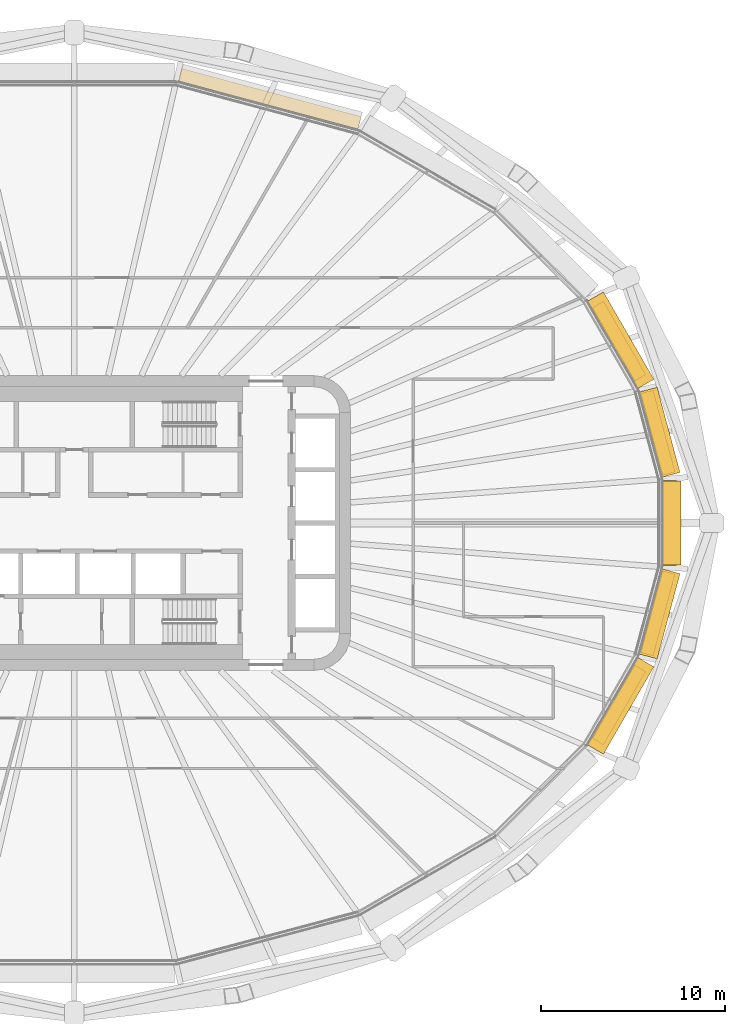
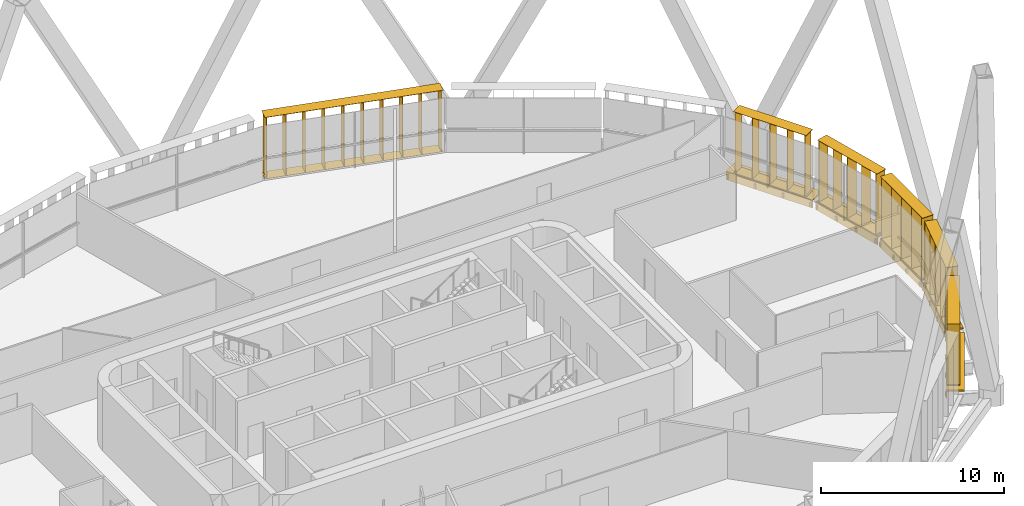
# One storey, part 25 of 25: 11 shading devices.
"""IFC4 building model written with IfcOpenShell, lengths in metres."""

from ifc_helpers import new_model, si_unit, direction, frame, origin, origin_2d, place, context, subcontext, project, spatial, rectangle, extrude, material, type_object, element, save


model = new_model("IFC4")

# Units and contexts
model_context = context("Model", 3, precision=1e-05, world=origin(), true_north=direction((0.0, 1.0)))
body_context = subcontext(model_context, "Body", "Model", "MODEL_VIEW")
ifc_project = project(units=[si_unit("LENGTHUNIT", "METRE"), si_unit("AREAUNIT", "SQUARE_METRE"), si_unit("VOLUMEUNIT", "CUBIC_METRE"), si_unit("PLANEANGLEUNIT", "RADIAN"), si_unit("MASSUNIT", "GRAM", prefix="KILO")], contexts=[model_context])

# Site, building, storey
site_placement = place(None, origin())
site = spatial("IfcSite", under=ifc_project, at=site_placement, CompositionType="ELEMENT")
building_placement = place(site_placement, origin())
building = spatial("IfcBuilding", under=site, at=building_placement, Name="Sahrelin Media Tower", CompositionType="ELEMENT")
storey_placement = place(building_placement, frame((0.0, 0.0, 114.60009765625)))
storey = spatial("IfcBuildingStorey", under=building, at=storey_placement, Name="L22", CompositionType="ELEMENT", Elevation=114.60009765625)

# Shading devices
ifc_material = material(Name="Champagne anodised aluminium 6063-T6", Category="aluminium")
shading_device_type_1 = type_object("IfcShadingDeviceType", Name="Fin cassette", PredefinedType="USERDEFINED", material=ifc_material)
placement_1 = place(storey_placement, frame((31.915771484375, 0.0, 0.0), z_axis=(0.0, 0.0, 1.0), x_axis=(0.0, -1.0, 0.0)))
element("IfcShadingDevice", 1, at=placement_1, inside=storey, type_object=shading_device_type_1, Name="L22:FIN:L22-00", ObjectType="FIN", PredefinedType="USERDEFINED", context=body_context, shape_type="SweptSolid", body=[
    extrude(rectangle(XDim=4.60009765625, YDim=0.699951171875, at=origin_2d()), frame((0.0, 0.419921875, 0.0)), (0.0, 0.0, 1.0), 0.02001953125),
    extrude(rectangle(XDim=4.60009765625, YDim=0.699951171875, at=origin_2d()), frame((0.0, 0.419921875, 4.10009765625)), (0.0, 0.0, 1.0), 0.02001953125),
    extrude(rectangle(XDim=0.02001953125, YDim=0.699951171875, at=origin_2d()), frame((-2.199951171875, 0.419921875, 0.010009765625), z_axis=(0.0, 0.0, 1.0), x_axis=(1.0, 0.0, 0.0)), (0.0, 0.0, 1.0), 4.10009765625),
    extrude(rectangle(XDim=0.02001953125, YDim=0.699951171875, at=origin_2d()), frame((-1.10009765625, 0.419921875, 0.010009765625), z_axis=(0.0, 0.0, 1.0), x_axis=(1.0, 0.0, 0.0)), (0.0, 0.0, 1.0), 4.10009765625),
    extrude(rectangle(XDim=0.02001953125, YDim=0.699951171875, at=origin_2d()), frame((0.0, 0.419921875, 0.010009765625), z_axis=(0.0, 0.0, 1.0), x_axis=(1.0, 0.0, 0.0)), (0.0, 0.0, 1.0), 4.10009765625),
    extrude(rectangle(XDim=0.02001953125, YDim=0.699951171875, at=origin_2d()), frame((1.10009765625, 0.419921875, 0.010009765625), z_axis=(0.0, 0.0, 1.0), x_axis=(1.0, 0.0, 0.0)), (0.0, 0.0, 1.0), 4.10009765625),
    extrude(rectangle(XDim=0.02001953125, YDim=0.699951171875, at=origin_2d()), frame((2.199951171875, 0.419921875, 0.010009765625), z_axis=(0.0, 0.0, 1.0), x_axis=(1.0, 0.0, 0.0)), (0.0, 0.0, 1.0), 4.10009765625),
])
placement_2 = place(storey_placement, frame((31.270263671875, 4.794189453125, 0.0), z_axis=(0.0, 0.0, 1.0), x_axis=(0.258807731996, -0.965928857556, 0.0)))
element("IfcShadingDevice", 2, at=placement_2, inside=storey, type_object=shading_device_type_1, Name="L22:FIN:L22-01", ObjectType="FIN", PredefinedType="USERDEFINED", context=body_context, shape_type="SweptSolid", body=[
    extrude(rectangle(XDim=4.60009765625, YDim=0.699951171875, at=origin_2d()), frame((0.0, 0.419921875, 0.0)), (0.0, 0.0, 1.0), 0.02001953125),
    extrude(rectangle(XDim=4.60009765625, YDim=0.699951171875, at=origin_2d()), frame((0.0, 0.419921875, 4.10009765625)), (0.0, 0.0, 1.0), 0.02001953125),
    extrude(rectangle(XDim=0.02001953125, YDim=0.699951171875, at=origin_2d()), frame((-2.199951171875, 0.419921875, 0.010009765625), z_axis=(0.0, 0.0, 1.0), x_axis=(1.0, 0.0, 0.0)), (0.0, 0.0, 1.0), 4.10009765625),
    extrude(rectangle(XDim=0.02001953125, YDim=0.699951171875, at=origin_2d()), frame((-1.10009765625, 0.419921875, 0.010009765625), z_axis=(0.0, 0.0, 1.0), x_axis=(1.0, 0.0, 0.0)), (0.0, 0.0, 1.0), 4.10009765625),
    extrude(rectangle(XDim=0.02001953125, YDim=0.699951171875, at=origin_2d()), frame((0.0, 0.419921875, 0.010009765625), z_axis=(0.0, 0.0, 1.0), x_axis=(1.0, 0.0, 0.0)), (0.0, 0.0, 1.0), 4.10009765625),
    extrude(rectangle(XDim=0.02001953125, YDim=0.699951171875, at=origin_2d()), frame((1.10009765625, 0.419921875, 0.010009765625), z_axis=(0.0, 0.0, 1.0), x_axis=(1.0, 0.0, 0.0)), (0.0, 0.0, 1.0), 4.10009765625),
    extrude(rectangle(XDim=0.02001953125, YDim=0.699951171875, at=origin_2d()), frame((2.199951171875, 0.419921875, 0.010009765625), z_axis=(0.0, 0.0, 1.0), x_axis=(1.0, 0.0, 0.0)), (0.0, 0.0, 1.0), 4.10009765625),
])
placement_3 = place(storey_placement, frame((29.20556640625, 9.6611328125, 0.0), z_axis=(0.0, 0.0, 1.0), x_axis=(0.500011000363, -0.866019052629, 0.0)))
element("IfcShadingDevice", 3, at=placement_3, inside=storey, type_object=shading_device_type_1, Name="L22:FIN:L22-02", ObjectType="FIN", PredefinedType="USERDEFINED", context=body_context, shape_type="SweptSolid", body=[
    extrude(rectangle(XDim=4.60009765625, YDim=0.699951171875, at=origin_2d()), frame((0.0, 0.419921875, 0.0)), (0.0, 0.0, 1.0), 0.02001953125),
    extrude(rectangle(XDim=4.60009765625, YDim=0.699951171875, at=origin_2d()), frame((0.0, 0.419921875, 4.10009765625)), (0.0, 0.0, 1.0), 0.02001953125),
    extrude(rectangle(XDim=0.02001953125, YDim=0.699951171875, at=origin_2d()), frame((-2.199951171875, 0.419921875, 0.010009765625), z_axis=(0.0, 0.0, 1.0), x_axis=(1.0, 0.0, 0.0)), (0.0, 0.0, 1.0), 4.10009765625),
    extrude(rectangle(XDim=0.02001953125, YDim=0.699951171875, at=origin_2d()), frame((-1.10009765625, 0.419921875, 0.010009765625), z_axis=(0.0, 0.0, 1.0), x_axis=(1.0, 0.0, 0.0)), (0.0, 0.0, 1.0), 4.10009765625),
    extrude(rectangle(XDim=0.02001953125, YDim=0.699951171875, at=origin_2d()), frame((0.0, 0.419921875, 0.010009765625), z_axis=(0.0, 0.0, 1.0), x_axis=(1.0, 0.0, 0.0)), (0.0, 0.0, 1.0), 4.10009765625),
    extrude(rectangle(XDim=0.02001953125, YDim=0.699951171875, at=origin_2d()), frame((1.10009765625, 0.419921875, 0.010009765625), z_axis=(0.0, 0.0, 1.0), x_axis=(1.0, 0.0, 0.0)), (0.0, 0.0, 1.0), 4.10009765625),
    extrude(rectangle(XDim=0.02001953125, YDim=0.699951171875, at=origin_2d()), frame((2.199951171875, 0.419921875, 0.010009765625), z_axis=(0.0, 0.0, 1.0), x_axis=(1.0, 0.0, 0.0)), (0.0, 0.0, 1.0), 4.10009765625),
])
shading_device_4_placement = place(storey_placement, frame((10.498046875, 22.623046875, 0.0), z_axis=(0.0, 0.0, 1.0), x_axis=(0.965928857556, -0.258807731996, 0.0)))
element("IfcShadingDevice", 4, at=shading_device_4_placement, inside=storey, type_object=shading_device_type_1, Name="L22:FIN:L22-05", ObjectType="FIN", PredefinedType="USERDEFINED", context=body_context, shape_type="SweptSolid", body=[
    extrude(rectangle(XDim=10.10009765625, YDim=0.699951171875, at=origin_2d()), frame((0.0, 0.419921875, 0.0)), (0.0, 0.0, 1.0), 0.02001953125),
    extrude(rectangle(XDim=10.10009765625, YDim=0.699951171875, at=origin_2d()), frame((0.0, 0.419921875, 4.10009765625)), (0.0, 0.0, 1.0), 0.02001953125),
    extrude(rectangle(XDim=0.02001953125, YDim=0.699951171875, at=origin_2d()), frame((-4.949951171875, 0.419921875, 0.010009765625), z_axis=(0.0, 0.0, 1.0), x_axis=(1.0, 0.0, 0.0)), (0.0, 0.0, 1.0), 4.10009765625),
    extrude(rectangle(XDim=0.02001953125, YDim=0.699951171875, at=origin_2d()), frame((-3.85009765625, 0.419921875, 0.010009765625), z_axis=(0.0, 0.0, 1.0), x_axis=(1.0, 0.0, 0.0)), (0.0, 0.0, 1.0), 4.10009765625),
    extrude(rectangle(XDim=0.02001953125, YDim=0.699951171875, at=origin_2d()), frame((-2.75, 0.419921875, 0.010009765625), z_axis=(0.0, 0.0, 1.0), x_axis=(1.0, 0.0, 0.0)), (0.0, 0.0, 1.0), 4.10009765625),
    extrude(rectangle(XDim=0.02001953125, YDim=0.699951171875, at=origin_2d()), frame((-1.64990234375, 0.419921875, 0.010009765625), z_axis=(0.0, 0.0, 1.0), x_axis=(1.0, 0.0, 0.0)), (0.0, 0.0, 1.0), 4.10009765625),
    extrude(rectangle(XDim=0.02001953125, YDim=0.699951171875, at=origin_2d()), frame((-0.550048828125, 0.419921875, 0.010009765625), z_axis=(0.0, 0.0, 1.0), x_axis=(1.0, 0.0, 0.0)), (0.0, 0.0, 1.0), 4.10009765625),
    extrude(rectangle(XDim=0.02001953125, YDim=0.699951171875, at=origin_2d()), frame((0.550048828125, 0.419921875, 0.010009765625), z_axis=(0.0, 0.0, 1.0), x_axis=(1.0, 0.0, 0.0)), (0.0, 0.0, 1.0), 4.10009765625),
    extrude(rectangle(XDim=0.02001953125, YDim=0.699951171875, at=origin_2d()), frame((1.64990234375, 0.419921875, 0.010009765625), z_axis=(0.0, 0.0, 1.0), x_axis=(1.0, 0.0, 0.0)), (0.0, 0.0, 1.0), 4.10009765625),
    extrude(rectangle(XDim=0.02001953125, YDim=0.699951171875, at=origin_2d()), frame((2.75, 0.419921875, 0.010009765625), z_axis=(0.0, 0.0, 1.0), x_axis=(1.0, 0.0, 0.0)), (0.0, 0.0, 1.0), 4.10009765625),
    extrude(rectangle(XDim=0.02001953125, YDim=0.699951171875, at=origin_2d()), frame((3.85009765625, 0.419921875, 0.010009765625), z_axis=(0.0, 0.0, 1.0), x_axis=(1.0, 0.0, 0.0)), (0.0, 0.0, 1.0), 4.10009765625),
    extrude(rectangle(XDim=0.02001953125, YDim=0.699951171875, at=origin_2d()), frame((4.949951171875, 0.419921875, 0.010009765625), z_axis=(0.0, 0.0, 1.0), x_axis=(1.0, 0.0, 0.0)), (0.0, 0.0, 1.0), 4.10009765625),
])
placement_4 = place(storey_placement, frame((29.205810546875, -9.661376953125, 0.0), z_axis=(0.0, 0.0, 1.0), x_axis=(-0.500011000363, -0.866019052629, 0.0)))
element("IfcShadingDevice", 5, at=placement_4, inside=storey, type_object=shading_device_type_1, Name="L22:FIN:L22-22", ObjectType="FIN", PredefinedType="USERDEFINED", context=body_context, shape_type="SweptSolid", body=[
    extrude(rectangle(XDim=4.60009765625, YDim=0.699951171875, at=origin_2d()), frame((0.0, 0.419921875, 0.0)), (0.0, 0.0, 1.0), 0.02001953125),
    extrude(rectangle(XDim=4.60009765625, YDim=0.699951171875, at=origin_2d()), frame((0.0, 0.419921875, 4.10009765625)), (0.0, 0.0, 1.0), 0.02001953125),
    extrude(rectangle(XDim=0.02001953125, YDim=0.699951171875, at=origin_2d()), frame((-2.199951171875, 0.419921875, 0.010009765625), z_axis=(0.0, 0.0, 1.0), x_axis=(1.0, 0.0, 0.0)), (0.0, 0.0, 1.0), 4.10009765625),
    extrude(rectangle(XDim=0.02001953125, YDim=0.699951171875, at=origin_2d()), frame((-1.10009765625, 0.419921875, 0.010009765625), z_axis=(0.0, 0.0, 1.0), x_axis=(1.0, 0.0, 0.0)), (0.0, 0.0, 1.0), 4.10009765625),
    extrude(rectangle(XDim=0.02001953125, YDim=0.699951171875, at=origin_2d()), frame((0.0, 0.419921875, 0.010009765625), z_axis=(0.0, 0.0, 1.0), x_axis=(1.0, 0.0, 0.0)), (0.0, 0.0, 1.0), 4.10009765625),
    extrude(rectangle(XDim=0.02001953125, YDim=0.699951171875, at=origin_2d()), frame((1.10009765625, 0.419921875, 0.010009765625), z_axis=(0.0, 0.0, 1.0), x_axis=(1.0, 0.0, 0.0)), (0.0, 0.0, 1.0), 4.10009765625),
    extrude(rectangle(XDim=0.02001953125, YDim=0.699951171875, at=origin_2d()), frame((2.199951171875, 0.419921875, 0.010009765625), z_axis=(0.0, 0.0, 1.0), x_axis=(1.0, 0.0, 0.0)), (0.0, 0.0, 1.0), 4.10009765625),
])
placement_5 = place(storey_placement, frame((31.270263671875, -4.794189453125, 0.0), z_axis=(0.0, 0.0, 1.0), x_axis=(-0.258807731996, -0.965928857556, 0.0)))
element("IfcShadingDevice", 6, at=placement_5, inside=storey, type_object=shading_device_type_1, Name="L22:FIN:L22-23", ObjectType="FIN", PredefinedType="USERDEFINED", context=body_context, shape_type="SweptSolid", body=[
    extrude(rectangle(XDim=4.60009765625, YDim=0.699951171875, at=origin_2d()), frame((0.0, 0.419921875, 0.0)), (0.0, 0.0, 1.0), 0.02001953125),
    extrude(rectangle(XDim=4.60009765625, YDim=0.699951171875, at=origin_2d()), frame((0.0, 0.419921875, 4.10009765625)), (0.0, 0.0, 1.0), 0.02001953125),
    extrude(rectangle(XDim=0.02001953125, YDim=0.699951171875, at=origin_2d()), frame((-2.199951171875, 0.419921875, 0.010009765625), z_axis=(0.0, 0.0, 1.0), x_axis=(1.0, 0.0, 0.0)), (0.0, 0.0, 1.0), 4.10009765625),
    extrude(rectangle(XDim=0.02001953125, YDim=0.699951171875, at=origin_2d()), frame((-1.10009765625, 0.419921875, 0.010009765625), z_axis=(0.0, 0.0, 1.0), x_axis=(1.0, 0.0, 0.0)), (0.0, 0.0, 1.0), 4.10009765625),
    extrude(rectangle(XDim=0.02001953125, YDim=0.699951171875, at=origin_2d()), frame((0.0, 0.419921875, 0.010009765625), z_axis=(0.0, 0.0, 1.0), x_axis=(1.0, 0.0, 0.0)), (0.0, 0.0, 1.0), 4.10009765625),
    extrude(rectangle(XDim=0.02001953125, YDim=0.699951171875, at=origin_2d()), frame((1.10009765625, 0.419921875, 0.010009765625), z_axis=(0.0, 0.0, 1.0), x_axis=(1.0, 0.0, 0.0)), (0.0, 0.0, 1.0), 4.10009765625),
    extrude(rectangle(XDim=0.02001953125, YDim=0.699951171875, at=origin_2d()), frame((2.199951171875, 0.419921875, 0.010009765625), z_axis=(0.0, 0.0, 1.0), x_axis=(1.0, 0.0, 0.0)), (0.0, 0.0, 1.0), 4.10009765625),
])
shading_device_type_2 = type_object("IfcShadingDeviceType", Name="Sunshade band", PredefinedType="USERDEFINED", material=ifc_material)
element("IfcShadingDevice", 7, at=placement_1, inside=storey, type_object=shading_device_type_2, Name="L22:SUN:L22-00", ObjectType="SUNSHADE", PredefinedType="USERDEFINED", context=body_context, shape_type="SweptSolid", body=[
    extrude(rectangle(XDim=4.570068359375, YDim=0.050048828125, at=origin_2d()), frame((0.0, 0.044921875, -0.55126953125)), (0.0, 0.0, 1.0), 0.471435546875),
    extrude(rectangle(XDim=4.570068359375, YDim=1.0, at=origin_2d()), frame((0.0, 0.52001953125, -0.080078125)), (0.0, 0.0, 1.0), 0.080078125),
    extrude(rectangle(XDim=0.10009765625, YDim=0.074951171875, at=origin_2d()), frame((-2.18505859375, -0.017578125, -0.47021484375)), (0.0, 0.0, 1.0), 0.300048828125),
    extrude(rectangle(XDim=0.10009765625, YDim=0.074951171875, at=origin_2d()), frame((-0.728271484375, -0.017578125, -0.47021484375)), (0.0, 0.0, 1.0), 0.300048828125),
    extrude(rectangle(XDim=0.10009765625, YDim=0.074951171875, at=origin_2d()), frame((0.728271484375, -0.017578125, -0.47021484375)), (0.0, 0.0, 1.0), 0.300048828125),
    extrude(rectangle(XDim=0.10009765625, YDim=0.074951171875, at=origin_2d()), frame((2.18505859375, -0.017578125, -0.47021484375)), (0.0, 0.0, 1.0), 0.300048828125),
])
element("IfcShadingDevice", 8, at=placement_2, inside=storey, type_object=shading_device_type_2, Name="L22:SUN:L22-01", ObjectType="SUNSHADE", PredefinedType="USERDEFINED", context=body_context, shape_type="SweptSolid", body=[
    extrude(rectangle(XDim=4.78857421875, YDim=0.050048828125, at=origin_2d()), frame((0.0, 0.044921875, -0.55126953125)), (0.0, 0.0, 1.0), 0.471435546875),
    extrude(rectangle(XDim=4.78857421875, YDim=1.0, at=origin_2d()), frame((0.0, 0.52001953125, -0.080078125)), (0.0, 0.0, 1.0), 0.080078125),
    extrude(rectangle(XDim=0.10009765625, YDim=0.074951171875, at=origin_2d()), frame((-2.294189453125, -0.017578125, -0.47021484375)), (0.0, 0.0, 1.0), 0.300048828125),
    extrude(rectangle(XDim=0.10009765625, YDim=0.074951171875, at=origin_2d()), frame((-0.764892578125, -0.017578125, -0.47021484375)), (0.0, 0.0, 1.0), 0.300048828125),
    extrude(rectangle(XDim=0.10009765625, YDim=0.074951171875, at=origin_2d()), frame((0.764892578125, -0.017578125, -0.47021484375)), (0.0, 0.0, 1.0), 0.300048828125),
    extrude(rectangle(XDim=0.10009765625, YDim=0.074951171875, at=origin_2d()), frame((2.294189453125, -0.017578125, -0.47021484375)), (0.0, 0.0, 1.0), 0.300048828125),
])
element("IfcShadingDevice", 9, at=placement_3, inside=storey, type_object=shading_device_type_2, Name="L22:SUN:L22-02", ObjectType="SUNSHADE", PredefinedType="USERDEFINED", context=body_context, shape_type="SweptSolid", body=[
    extrude(rectangle(XDim=5.475830078125, YDim=0.050048828125, at=origin_2d()), frame((0.0, 0.044921875, -0.55126953125)), (0.0, 0.0, 1.0), 0.471435546875),
    extrude(rectangle(XDim=5.475830078125, YDim=1.0, at=origin_2d()), frame((0.0, 0.52001953125, -0.080078125)), (0.0, 0.0, 1.0), 0.080078125),
    extrude(rectangle(XDim=0.10009765625, YDim=0.074951171875, at=origin_2d()), frame((-2.637939453125, -0.017578125, -0.47021484375)), (0.0, 0.0, 1.0), 0.300048828125),
    extrude(rectangle(XDim=0.10009765625, YDim=0.074951171875, at=origin_2d()), frame((-0.87939453125, -0.017578125, -0.47021484375)), (0.0, 0.0, 1.0), 0.300048828125),
    extrude(rectangle(XDim=0.10009765625, YDim=0.074951171875, at=origin_2d()), frame((0.87939453125, -0.017578125, -0.47021484375)), (0.0, 0.0, 1.0), 0.300048828125),
    extrude(rectangle(XDim=0.10009765625, YDim=0.074951171875, at=origin_2d()), frame((2.637939453125, -0.017578125, -0.47021484375)), (0.0, 0.0, 1.0), 0.300048828125),
])
element("IfcShadingDevice", 10, at=placement_4, inside=storey, type_object=shading_device_type_2, Name="L22:SUN:L22-22", ObjectType="SUNSHADE", PredefinedType="USERDEFINED", context=body_context, shape_type="SweptSolid", body=[
    extrude(rectangle(XDim=5.475830078125, YDim=0.050048828125, at=origin_2d()), frame((0.0, 0.044921875, -0.55126953125)), (0.0, 0.0, 1.0), 0.471435546875),
    extrude(rectangle(XDim=5.475830078125, YDim=1.0, at=origin_2d()), frame((0.0, 0.52001953125, -0.080078125)), (0.0, 0.0, 1.0), 0.080078125),
    extrude(rectangle(XDim=0.10009765625, YDim=0.074951171875, at=origin_2d()), frame((-2.637939453125, -0.017578125, -0.47021484375)), (0.0, 0.0, 1.0), 0.300048828125),
    extrude(rectangle(XDim=0.10009765625, YDim=0.074951171875, at=origin_2d()), frame((-0.87939453125, -0.017578125, -0.47021484375)), (0.0, 0.0, 1.0), 0.300048828125),
    extrude(rectangle(XDim=0.10009765625, YDim=0.074951171875, at=origin_2d()), frame((0.87939453125, -0.017578125, -0.47021484375)), (0.0, 0.0, 1.0), 0.300048828125),
    extrude(rectangle(XDim=0.10009765625, YDim=0.074951171875, at=origin_2d()), frame((2.637939453125, -0.017578125, -0.47021484375)), (0.0, 0.0, 1.0), 0.300048828125),
])
element("IfcShadingDevice", 11, at=placement_5, inside=storey, type_object=shading_device_type_2, Name="L22:SUN:L22-23", ObjectType="SUNSHADE", PredefinedType="USERDEFINED", context=body_context, shape_type="SweptSolid", body=[
    extrude(rectangle(XDim=4.78857421875, YDim=0.050048828125, at=origin_2d()), frame((0.0, 0.044921875, -0.55126953125)), (0.0, 0.0, 1.0), 0.471435546875),
    extrude(rectangle(XDim=4.78857421875, YDim=1.0, at=origin_2d()), frame((0.0, 0.52001953125, -0.080078125)), (0.0, 0.0, 1.0), 0.080078125),
    extrude(rectangle(XDim=0.10009765625, YDim=0.074951171875, at=origin_2d()), frame((-2.294189453125, -0.017578125, -0.47021484375)), (0.0, 0.0, 1.0), 0.300048828125),
    extrude(rectangle(XDim=0.10009765625, YDim=0.074951171875, at=origin_2d()), frame((-0.764892578125, -0.017578125, -0.47021484375)), (0.0, 0.0, 1.0), 0.300048828125),
    extrude(rectangle(XDim=0.10009765625, YDim=0.074951171875, at=origin_2d()), frame((0.764892578125, -0.017578125, -0.47021484375)), (0.0, 0.0, 1.0), 0.300048828125),
    extrude(rectangle(XDim=0.10009765625, YDim=0.074951171875, at=origin_2d()), frame((2.294189453125, -0.017578125, -0.47021484375)), (0.0, 0.0, 1.0), 0.300048828125),
])

save(model, "model.ifc")
